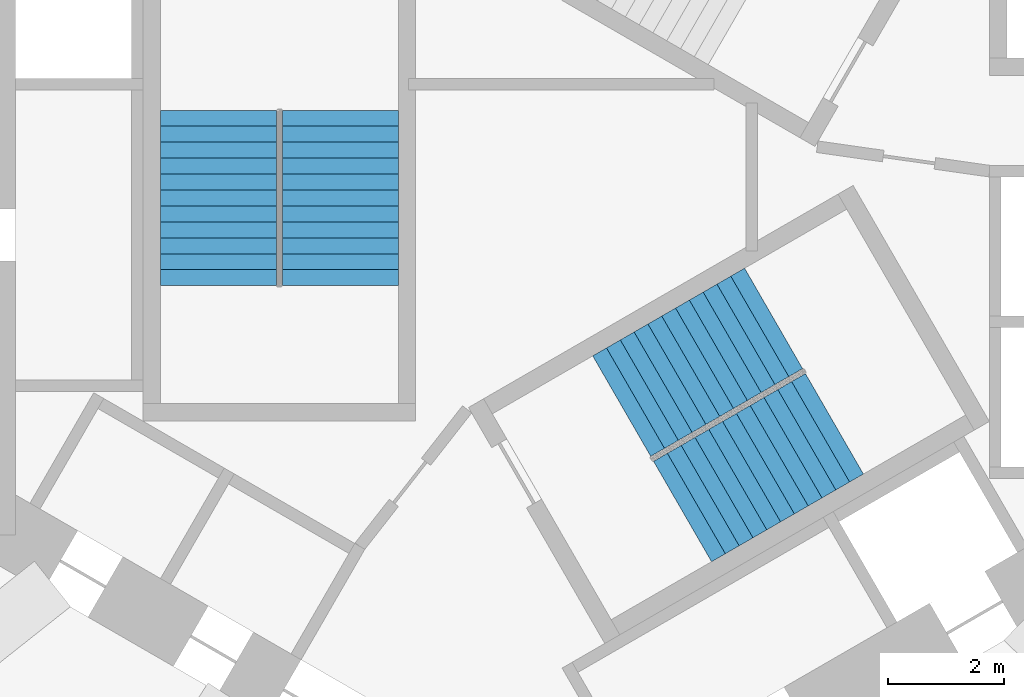
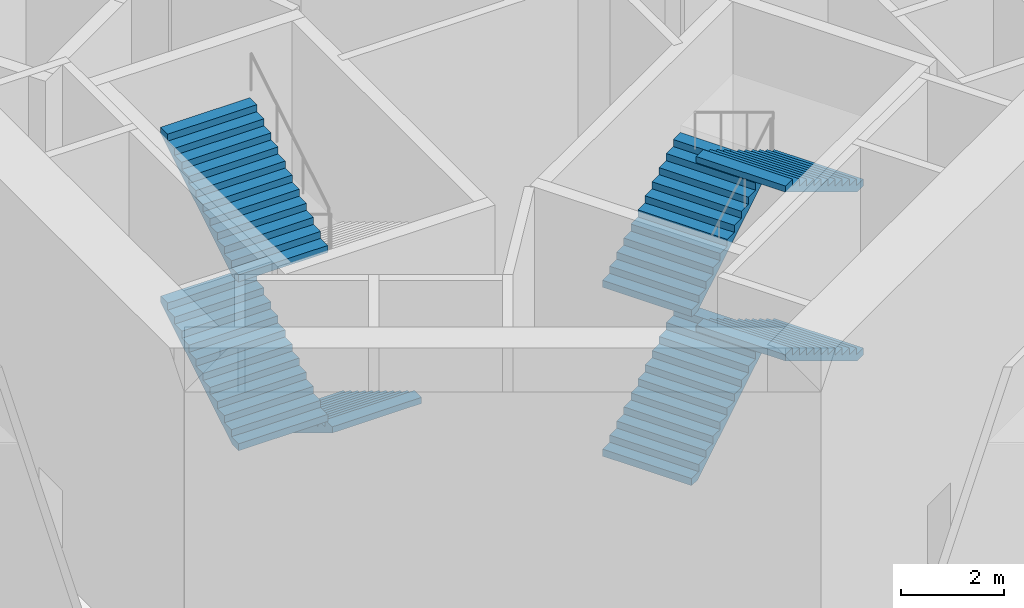
# One storey, part 12 of 15: 7 stair flights, 2 elements without a shape of their own.
"""IFC4 building model written with IfcOpenShell, lengths in metres."""

from ifc_helpers import new_model, si_unit, direction, frame, origin, place, context, subcontext, project, spatial, triangles, source, transform, mapped, material, type_object, element, aggregate, save


model = new_model("IFC4")

# Units and contexts
model_context = context("Model", 3, precision=1e-05, world=origin(), true_north=direction((0.0, 1.0)))
body_context = subcontext(model_context, "Body", "Model", "MODEL_VIEW")
ifc_project = project(units=[si_unit("LENGTHUNIT", "METRE"), si_unit("AREAUNIT", "SQUARE_METRE"), si_unit("VOLUMEUNIT", "CUBIC_METRE"), si_unit("PLANEANGLEUNIT", "RADIAN"), si_unit("MASSUNIT", "GRAM", prefix="KILO")], contexts=[model_context])

# Site, building, storey
site_placement = place(None, origin())
site = spatial("IfcSite", under=ifc_project, at=site_placement, CompositionType="ELEMENT")
building_placement = place(site_placement, origin())
building = spatial("IfcBuilding", under=site, at=building_placement, Name="Vanh Sen Convention Tower", CompositionType="ELEMENT")
storey_placement = place(building_placement, frame((0.0, 0.0, 13.0)))
storey = spatial("IfcBuildingStorey", under=building, at=storey_placement, Name="L02", CompositionType="ELEMENT", Elevation=13.0)

# Stair, stair flights
ifc_material_1 = material(Name="Concrete C50/60", Category="concrete")
stair_type_1 = type_object("IfcStairType", Name="Exit stair ST2 48 risers at 166.7", PredefinedType="HALF_TURN_STAIR", material=ifc_material_1)
stair_1_placement = place(storey_placement, origin())
stair_1 = element("IfcStair", 1, at=stair_1_placement, inside=storey, type_object=stair_type_1, Name="Exit stair ST2 L02", PredefinedType="HALF_TURN_STAIR")
ifc_material_2 = material(Name="Concrete C40/50", Category="concrete")
stair_flight_type = type_object("IfcStairFlightType", Name="Stair flight 2000", PredefinedType="STRAIGHT", material=ifc_material_2)
shared_shape = source(origin(), body_context, "Body", "Tessellation", [
    triangles([(0.2412109375, 1.0, 0.0), (0.0, 1.0, 0.0), (0.0, 1.0, 0.166748046875), (0.27490234375, 1.0, 0.166748046875), (0.27490234375, 1.0, 0.333251953125), (0.550048828125, 1.0, 0.333251953125), (0.550048828125, 1.0, 0.5), (0.824951171875, 1.0, 0.5), (0.824951171875, 1.0, 0.666748046875), (1.10009765625, 1.0, 0.666748046875), (1.10009765625, 1.0, 0.833251953125), (1.375, 1.0, 0.833251953125), (1.375, 1.0, 1.0), (1.64990234375, 1.0, 1.0), (1.64990234375, 1.0, 1.166748046875), (1.925048828125, 1.0, 1.166748046875), (1.925048828125, 1.0, 1.333251953125), (2.199951171875, 1.0, 1.333251953125), (2.199951171875, 1.0, 1.5), (2.47509765625, 1.0, 1.5), (2.47509765625, 1.0, 1.666748046875), (2.75, 1.0, 1.666748046875), (2.75, 1.0, 1.833251953125), (3.02490234375, 1.0, 1.833251953125), (3.02490234375, 1.0, 1.687255859375), (0.2412109375, -1.0, 0.0), (0.0, -1.0, 0.0), (0.0, -1.0, 0.166748046875), (0.27490234375, -1.0, 0.166748046875), (0.27490234375, -1.0, 0.333251953125), (0.550048828125, -1.0, 0.333251953125), (0.550048828125, -1.0, 0.5), (0.824951171875, -1.0, 0.5), (0.824951171875, -1.0, 0.666748046875), (1.10009765625, -1.0, 0.666748046875), (1.10009765625, -1.0, 0.833251953125), (1.375, -1.0, 0.833251953125), (1.375, -1.0, 1.0), (1.64990234375, -1.0, 1.0), (1.64990234375, -1.0, 1.166748046875), (1.925048828125, -1.0, 1.166748046875), (1.925048828125, -1.0, 1.333251953125), (2.199951171875, -1.0, 1.333251953125), (2.199951171875, -1.0, 1.5), (2.47509765625, -1.0, 1.5), (2.47509765625, -1.0, 1.666748046875), (2.75, -1.0, 1.666748046875), (2.75, -1.0, 1.833251953125), (3.02490234375, -1.0, 1.833251953125), (3.02490234375, -1.0, 1.687255859375), (0.0, 0.0400390625, 0.0), (0.0, 0.0390625, 0.0), (0.0, 0.0380859375, 0.0), (0.0, 0.037109375, 0.0), (0.0, 0.035888671875, 0.0), (0.0, 0.034912109375, 0.0), (0.0, 0.033935546875, 0.0), (0.0, 0.032958984375, 0.0), (0.0, 0.031982421875, 0.0), (0.0, 0.031005859375, 0.0), (0.0, 0.030029296875, 0.0), (0.0, 0.029052734375, 0.0), (0.0, 0.028076171875, 0.0), (0.0, 0.027099609375, 0.0), (0.0, 0.02587890625, 0.0), (0.0, 0.02490234375, 0.0), (0.0, 0.02392578125, 0.0), (0.0, 0.02294921875, 0.0), (0.0, 0.02197265625, 0.0), (0.0, 0.02099609375, 0.0), (0.0, 0.02001953125, 0.0), (0.0, 0.01904296875, 0.0), (0.0, 0.01806640625, 0.0), (0.0, 0.01708984375, 0.0), (0.0, 0.01611328125, 0.0), (0.0, 0.014892578125, 0.0), (0.0, 0.013916015625, 0.0), (0.0, 0.012939453125, 0.0), (0.0, 0.011962890625, 0.0), (0.0, 0.010986328125, 0.0), (0.0, 0.010009765625, 0.0), (0.0, 0.009033203125, 0.0), (0.0, 0.008056640625, 0.0), (0.0, 0.007080078125, 0.0), (0.0, 0.006103515625, 0.0), (0.0, 0.0048828125, 0.0), (0.0, 0.00390625, 0.0), (0.0, 0.0029296875, 0.0), (0.0, 0.001953125, 0.0), (0.0, 0.0009765625, 0.0), (0.0, 0.0, 0.0), (0.0, -0.0009765625, 0.0), (0.0, -0.001953125, 0.0), (0.0, -0.0029296875, 0.0), (0.0, -0.00390625, 0.0), (0.0, -0.0048828125, 0.0), (0.0, -0.006103515625, 0.0), (0.0, -0.007080078125, 0.0), (0.0, -0.008056640625, 0.0), (0.0, -0.009033203125, 0.0), (0.0, -0.010009765625, 0.0), (0.0, -0.010986328125, 0.0), (0.0, -0.011962890625, 0.0), (0.0, -0.012939453125, 0.0), (0.0, -0.013916015625, 0.0), (0.0, -0.014892578125, 0.0), (0.0, -0.01611328125, 0.0), (0.0, -0.01708984375, 0.0), (0.0, -0.01806640625, 0.0), (0.0, -0.01904296875, 0.0), (0.0, -0.02001953125, 0.0), (0.0, -0.02099609375, 0.0), (0.0, -0.02197265625, 0.0), (0.0, -0.02294921875, 0.0), (0.0, -0.02392578125, 0.0), (0.0, -0.02490234375, 0.0), (0.0, -0.02587890625, 0.0), (0.0, -0.027099609375, 0.0), (0.0, -0.028076171875, 0.0), (0.0, -0.029052734375, 0.0), (0.0, -0.030029296875, 0.0), (0.0, -0.031005859375, 0.0), (0.0, -0.031982421875, 0.0), (0.0, -0.032958984375, 0.0), (0.0, -0.033935546875, 0.0), (0.0, -0.034912109375, 0.0), (0.0, -0.035888671875, 0.0), (0.0, -0.037109375, 0.0), (0.0, -0.0380859375, 0.0), (0.0, -0.0390625, 0.0), (0.0, -0.0400390625, 0.0), (0.0, 0.0400390625, 0.166748046875), (0.0, 0.0390625, 0.166748046875), (0.0, 0.0380859375, 0.166748046875), (0.0, 0.037109375, 0.166748046875), (0.0, 0.035888671875, 0.166748046875), (0.0, 0.034912109375, 0.166748046875), (0.0, 0.033935546875, 0.166748046875), (0.0, 0.032958984375, 0.166748046875), (0.0, 0.031982421875, 0.166748046875), (0.0, 0.031005859375, 0.166748046875), (0.0, 0.030029296875, 0.166748046875), (0.0, 0.029052734375, 0.166748046875), (0.0, 0.028076171875, 0.166748046875), (0.0, 0.027099609375, 0.166748046875), (0.0, 0.02587890625, 0.166748046875), (0.0, 0.02490234375, 0.166748046875), (0.0, 0.02392578125, 0.166748046875), (0.0, 0.02294921875, 0.166748046875), (0.0, 0.02197265625, 0.166748046875), (0.0, 0.02099609375, 0.166748046875), (0.0, 0.02001953125, 0.166748046875), (0.0, 0.01904296875, 0.166748046875), (0.0, 0.01806640625, 0.166748046875), (0.0, 0.01708984375, 0.166748046875), (0.0, 0.01611328125, 0.166748046875), (0.0, 0.014892578125, 0.166748046875), (0.0, 0.013916015625, 0.166748046875), (0.0, 0.012939453125, 0.166748046875), (0.0, 0.011962890625, 0.166748046875), (0.0, 0.010986328125, 0.166748046875), (0.0, 0.010009765625, 0.166748046875), (0.0, 0.009033203125, 0.166748046875), (0.0, 0.008056640625, 0.166748046875), (0.0, 0.007080078125, 0.166748046875), (0.0, 0.006103515625, 0.166748046875), (0.0, 0.0048828125, 0.166748046875), (0.0, 0.00390625, 0.166748046875), (0.0, 0.0029296875, 0.166748046875), (0.0, 0.001953125, 0.166748046875), (0.0, 0.0009765625, 0.166748046875), (0.0, 0.0, 0.166748046875), (0.0, -0.0009765625, 0.166748046875), (0.0, -0.001953125, 0.166748046875), (0.0, -0.0029296875, 0.166748046875), (0.0, -0.00390625, 0.166748046875), (0.0, -0.0048828125, 0.166748046875), (0.0, -0.006103515625, 0.166748046875), (0.0, -0.007080078125, 0.166748046875), (0.0, -0.008056640625, 0.166748046875), (0.0, -0.009033203125, 0.166748046875), (0.0, -0.010009765625, 0.166748046875), (0.0, -0.010986328125, 0.166748046875), (0.0, -0.011962890625, 0.166748046875), (0.0, -0.012939453125, 0.166748046875), (0.0, -0.013916015625, 0.166748046875), (0.0, -0.014892578125, 0.166748046875), (0.0, -0.01611328125, 0.166748046875), (0.0, -0.01708984375, 0.166748046875), (0.0, -0.01806640625, 0.166748046875), (0.0, -0.01904296875, 0.166748046875), (0.0, -0.02001953125, 0.166748046875), (0.0, -0.02099609375, 0.166748046875), (0.0, -0.02197265625, 0.166748046875), (0.0, -0.02294921875, 0.166748046875), (0.0, -0.02392578125, 0.166748046875), (0.0, -0.02490234375, 0.166748046875), (0.0, -0.02587890625, 0.166748046875), (0.0, -0.027099609375, 0.166748046875), (0.0, -0.028076171875, 0.166748046875), (0.0, -0.029052734375, 0.166748046875), (0.0, -0.030029296875, 0.166748046875), (0.0, -0.031005859375, 0.166748046875), (0.0, -0.031982421875, 0.166748046875), (0.0, -0.032958984375, 0.166748046875), (0.0, -0.033935546875, 0.166748046875), (0.0, -0.034912109375, 0.166748046875), (0.0, -0.035888671875, 0.166748046875), (0.0, -0.037109375, 0.166748046875), (0.0, -0.0380859375, 0.166748046875), (0.0, -0.0390625, 0.166748046875), (0.0, -0.0400390625, 0.166748046875), (0.27490234375, 0.0, 0.166748046875), (0.27490234375, 0.0, 0.333251953125), (0.550048828125, 0.0, 0.333251953125), (0.550048828125, 0.0, 0.5), (0.824951171875, 0.0, 0.5), (0.824951171875, 0.0, 0.666748046875), (1.10009765625, 0.0, 0.666748046875), (1.10009765625, 0.0, 0.833251953125), (1.375, 0.0, 0.833251953125), (1.375, 0.0, 1.0), (1.64990234375, 0.0, 1.0), (1.64990234375, 0.0, 1.166748046875), (1.925048828125, 0.0, 1.166748046875), (1.925048828125, 0.0, 1.333251953125), (2.199951171875, 0.0, 1.333251953125), (2.199951171875, 0.0, 1.5), (2.47509765625, 0.0, 1.5), (2.47509765625, 0.0, 1.666748046875), (2.75, 0.0, 1.666748046875), (2.75, 0.0, 1.833251953125), (3.02490234375, 0.0400390625, 1.833251953125), (3.02490234375, 0.0390625, 1.833251953125), (3.02490234375, 0.0380859375, 1.833251953125), (3.02490234375, 0.037109375, 1.833251953125), (3.02490234375, 0.035888671875, 1.833251953125), (3.02490234375, 0.034912109375, 1.833251953125), (3.02490234375, 0.033935546875, 1.833251953125), (3.02490234375, 0.032958984375, 1.833251953125), (3.02490234375, 0.031982421875, 1.833251953125), (3.02490234375, 0.031005859375, 1.833251953125), (3.02490234375, 0.030029296875, 1.833251953125), (3.02490234375, 0.029052734375, 1.833251953125), (3.02490234375, 0.028076171875, 1.833251953125), (3.02490234375, 0.027099609375, 1.833251953125), (3.02490234375, 0.02587890625, 1.833251953125), (3.02490234375, 0.02490234375, 1.833251953125), (3.02490234375, 0.02392578125, 1.833251953125), (3.02490234375, 0.02294921875, 1.833251953125), (3.02490234375, 0.02197265625, 1.833251953125), (3.02490234375, 0.02099609375, 1.833251953125), (3.02490234375, 0.02001953125, 1.833251953125), (3.02490234375, 0.01904296875, 1.833251953125), (3.02490234375, 0.01806640625, 1.833251953125), (3.02490234375, 0.01708984375, 1.833251953125), (3.02490234375, 0.01611328125, 1.833251953125), (3.02490234375, 0.014892578125, 1.833251953125), (3.02490234375, 0.013916015625, 1.833251953125), (3.02490234375, 0.012939453125, 1.833251953125), (3.02490234375, 0.011962890625, 1.833251953125), (3.02490234375, 0.010986328125, 1.833251953125), (3.02490234375, 0.010009765625, 1.833251953125), (3.02490234375, 0.009033203125, 1.833251953125), (3.02490234375, 0.008056640625, 1.833251953125), (3.02490234375, 0.007080078125, 1.833251953125), (3.02490234375, 0.006103515625, 1.833251953125), (3.02490234375, 0.0048828125, 1.833251953125), (3.02490234375, 0.00390625, 1.833251953125), (3.02490234375, 0.0029296875, 1.833251953125), (3.02490234375, 0.001953125, 1.833251953125), (3.02490234375, 0.0009765625, 1.833251953125), (3.02490234375, 0.0, 1.833251953125), (3.02490234375, -0.0009765625, 1.833251953125), (3.02490234375, -0.001953125, 1.833251953125), (3.02490234375, -0.0029296875, 1.833251953125), (3.02490234375, -0.00390625, 1.833251953125), (3.02490234375, -0.0048828125, 1.833251953125), (3.02490234375, -0.006103515625, 1.833251953125), (3.02490234375, -0.007080078125, 1.833251953125), (3.02490234375, -0.008056640625, 1.833251953125), (3.02490234375, -0.009033203125, 1.833251953125), (3.02490234375, -0.010009765625, 1.833251953125), (3.02490234375, -0.010986328125, 1.833251953125), (3.02490234375, -0.011962890625, 1.833251953125), (3.02490234375, -0.012939453125, 1.833251953125), (3.02490234375, -0.013916015625, 1.833251953125), (3.02490234375, -0.014892578125, 1.833251953125), (3.02490234375, -0.01611328125, 1.833251953125), (3.02490234375, -0.01708984375, 1.833251953125), (3.02490234375, -0.01806640625, 1.833251953125), (3.02490234375, -0.01904296875, 1.833251953125), (3.02490234375, -0.02001953125, 1.833251953125), (3.02490234375, -0.02099609375, 1.833251953125), (3.02490234375, -0.02197265625, 1.833251953125), (3.02490234375, -0.02294921875, 1.833251953125), (3.02490234375, -0.02392578125, 1.833251953125), (3.02490234375, -0.02490234375, 1.833251953125), (3.02490234375, -0.02587890625, 1.833251953125), (3.02490234375, -0.027099609375, 1.833251953125), (3.02490234375, -0.028076171875, 1.833251953125), (3.02490234375, -0.029052734375, 1.833251953125), (3.02490234375, -0.030029296875, 1.833251953125), (3.02490234375, -0.031005859375, 1.833251953125), (3.02490234375, -0.031982421875, 1.833251953125), (3.02490234375, -0.032958984375, 1.833251953125), (3.02490234375, -0.033935546875, 1.833251953125), (3.02490234375, -0.034912109375, 1.833251953125), (3.02490234375, -0.035888671875, 1.833251953125), (3.02490234375, -0.037109375, 1.833251953125), (3.02490234375, -0.0380859375, 1.833251953125), (3.02490234375, -0.0390625, 1.833251953125), (3.02490234375, -0.0400390625, 1.833251953125), (3.02490234375, 0.0400390625, 1.687255859375), (3.02490234375, 0.0390625, 1.687255859375), (3.02490234375, 0.0380859375, 1.687255859375), (3.02490234375, 0.037109375, 1.687255859375), (3.02490234375, 0.035888671875, 1.687255859375), (3.02490234375, 0.034912109375, 1.687255859375), (3.02490234375, 0.033935546875, 1.687255859375), (3.02490234375, 0.032958984375, 1.687255859375), (3.02490234375, 0.031982421875, 1.687255859375), (3.02490234375, 0.031005859375, 1.687255859375), (3.02490234375, 0.030029296875, 1.687255859375), (3.02490234375, 0.029052734375, 1.687255859375), (3.02490234375, 0.028076171875, 1.687255859375), (3.02490234375, 0.027099609375, 1.687255859375), (3.02490234375, 0.02587890625, 1.687255859375), (3.02490234375, 0.02490234375, 1.687255859375), (3.02490234375, 0.02392578125, 1.687255859375), (3.02490234375, 0.02294921875, 1.687255859375), (3.02490234375, 0.02197265625, 1.687255859375), (3.02490234375, 0.02099609375, 1.687255859375), (3.02490234375, 0.02001953125, 1.687255859375), (3.02490234375, 0.01904296875, 1.687255859375), (3.02490234375, 0.01806640625, 1.687255859375), (3.02490234375, 0.01708984375, 1.687255859375), (3.02490234375, 0.01611328125, 1.687255859375), (3.02490234375, 0.014892578125, 1.687255859375), (3.02490234375, 0.013916015625, 1.687255859375), (3.02490234375, 0.012939453125, 1.687255859375), (3.02490234375, 0.011962890625, 1.687255859375), (3.02490234375, 0.010986328125, 1.687255859375), (3.02490234375, 0.010009765625, 1.687255859375), (3.02490234375, 0.009033203125, 1.687255859375), (3.02490234375, 0.008056640625, 1.687255859375), (3.02490234375, 0.007080078125, 1.687255859375), (3.02490234375, 0.006103515625, 1.687255859375), (3.02490234375, 0.0048828125, 1.687255859375), (3.02490234375, 0.00390625, 1.687255859375), (3.02490234375, 0.0029296875, 1.687255859375), (3.02490234375, 0.001953125, 1.687255859375), (3.02490234375, 0.0009765625, 1.687255859375), (3.02490234375, 0.0, 1.687255859375), (3.02490234375, -0.0009765625, 1.687255859375), (3.02490234375, -0.001953125, 1.687255859375), (3.02490234375, -0.0029296875, 1.687255859375), (3.02490234375, -0.00390625, 1.687255859375), (3.02490234375, -0.0048828125, 1.687255859375), (3.02490234375, -0.006103515625, 1.687255859375), (3.02490234375, -0.007080078125, 1.687255859375), (3.02490234375, -0.008056640625, 1.687255859375), (3.02490234375, -0.009033203125, 1.687255859375), (3.02490234375, -0.010009765625, 1.687255859375), (3.02490234375, -0.010986328125, 1.687255859375), (3.02490234375, -0.011962890625, 1.687255859375), (3.02490234375, -0.012939453125, 1.687255859375), (3.02490234375, -0.013916015625, 1.687255859375), (3.02490234375, -0.014892578125, 1.687255859375), (3.02490234375, -0.01611328125, 1.687255859375), (3.02490234375, -0.01708984375, 1.687255859375), (3.02490234375, -0.01806640625, 1.687255859375), (3.02490234375, -0.01904296875, 1.687255859375), (3.02490234375, -0.02001953125, 1.687255859375), (3.02490234375, -0.02099609375, 1.687255859375), (3.02490234375, -0.02197265625, 1.687255859375), (3.02490234375, -0.02294921875, 1.687255859375), (3.02490234375, -0.02392578125, 1.687255859375), (3.02490234375, -0.02490234375, 1.687255859375), (3.02490234375, -0.02587890625, 1.687255859375), (3.02490234375, -0.027099609375, 1.687255859375), (3.02490234375, -0.028076171875, 1.687255859375), (3.02490234375, -0.029052734375, 1.687255859375), (3.02490234375, -0.030029296875, 1.687255859375), (3.02490234375, -0.031005859375, 1.687255859375), (3.02490234375, -0.031982421875, 1.687255859375), (3.02490234375, -0.032958984375, 1.687255859375), (3.02490234375, -0.033935546875, 1.687255859375), (3.02490234375, -0.034912109375, 1.687255859375), (3.02490234375, -0.035888671875, 1.687255859375), (3.02490234375, -0.037109375, 1.687255859375), (3.02490234375, -0.0380859375, 1.687255859375), (3.02490234375, -0.0390625, 1.687255859375), (3.02490234375, -0.0400390625, 1.687255859375), (0.2412109375, 0.0, 0.0)], [[1, 2, 3], [1, 3, 4], [4, 5, 6], [1, 4, 6], [6, 7, 8], [1, 6, 8], [8, 9, 10], [1, 8, 10], [10, 11, 12], [1, 10, 12], [12, 13, 14], [1, 12, 14], [14, 15, 16], [1, 14, 16], [16, 17, 18], [1, 16, 18], [18, 19, 20], [1, 18, 20], [20, 21, 22], [1, 20, 22], [22, 23, 24], [1, 22, 24], [24, 25, 1], [26, 28, 27], [26, 29, 28], [29, 31, 30], [26, 31, 29], [31, 33, 32], [26, 33, 31], [33, 35, 34], [26, 35, 33], [35, 37, 36], [26, 37, 35], [37, 39, 38], [26, 39, 37], [39, 41, 40], [26, 41, 39], [41, 43, 42], [26, 43, 41], [43, 45, 44], [26, 45, 43], [45, 47, 46], [26, 47, 45], [47, 49, 48], [26, 49, 47], [49, 26, 50], [2, 132, 3], [2, 51, 132], [51, 133, 132], [51, 52, 133], [52, 134, 133], [52, 53, 134], [53, 135, 134], [53, 54, 135], [54, 136, 135], [54, 55, 136], [55, 137, 136], [55, 56, 137], [56, 138, 137], [56, 57, 138], [57, 139, 138], [57, 58, 139], [58, 140, 139], [58, 59, 140], [59, 141, 140], [59, 60, 141], [60, 142, 141], [60, 61, 142], [61, 143, 142], [61, 62, 143], [62, 144, 143], [62, 63, 144], [63, 145, 144], [63, 64, 145], [64, 146, 145], [64, 65, 146], [65, 147, 146], [65, 66, 147], [66, 148, 147], [66, 67, 148], [67, 149, 148], [67, 68, 149], [68, 150, 149], [68, 69, 150], [69, 151, 150], [69, 70, 151], [70, 152, 151], [70, 71, 152], [71, 153, 152], [71, 72, 153], [72, 154, 153], [72, 73, 154], [73, 155, 154], [73, 74, 155], [74, 156, 155], [74, 75, 156], [75, 157, 156], [75, 76, 157], [76, 158, 157], [76, 77, 158], [77, 159, 158], [77, 78, 159], [78, 160, 159], [78, 79, 160], [79, 161, 160], [79, 80, 161], [80, 162, 161], [80, 81, 162], [81, 163, 162], [81, 82, 163], [82, 164, 163], [82, 83, 164], [83, 165, 164], [83, 84, 165], [84, 166, 165], [84, 85, 166], [85, 167, 166], [85, 86, 167], [86, 168, 167], [86, 87, 168], [87, 169, 168], [87, 88, 169], [88, 170, 169], [88, 89, 170], [89, 171, 170], [89, 90, 171], [90, 172, 171], [90, 91, 172], [91, 92, 172], [172, 92, 173], [92, 93, 173], [173, 93, 174], [93, 94, 174], [174, 94, 175], [94, 95, 175], [175, 95, 176], [95, 96, 176], [176, 96, 177], [96, 97, 177], [177, 97, 178], [97, 98, 178], [178, 98, 179], [98, 99, 179], [179, 99, 180], [99, 100, 180], [180, 100, 181], [100, 101, 181], [181, 101, 182], [101, 102, 182], [182, 102, 183], [102, 103, 183], [183, 103, 184], [103, 104, 184], [184, 104, 185], [104, 105, 185], [185, 105, 186], [105, 106, 186], [186, 106, 187], [106, 107, 187], [187, 107, 188], [107, 108, 188], [188, 108, 189], [108, 109, 189], [189, 109, 190], [109, 110, 190], [190, 110, 191], [110, 111, 191], [191, 111, 192], [111, 112, 192], [192, 112, 193], [112, 113, 193], [193, 113, 194], [113, 114, 194], [194, 114, 195], [114, 115, 195], [195, 115, 196], [115, 116, 196], [196, 116, 197], [116, 117, 197], [197, 117, 198], [117, 118, 198], [198, 118, 199], [118, 119, 199], [199, 119, 200], [119, 120, 200], [200, 120, 201], [120, 121, 201], [201, 121, 202], [121, 122, 202], [202, 122, 203], [122, 123, 203], [203, 123, 204], [123, 124, 204], [204, 124, 205], [124, 125, 205], [205, 125, 206], [125, 126, 206], [206, 126, 207], [126, 127, 207], [207, 127, 208], [127, 128, 208], [208, 128, 209], [128, 129, 209], [209, 129, 210], [129, 130, 210], [210, 130, 211], [130, 131, 211], [211, 131, 212], [131, 27, 212], [212, 27, 28], [4, 3, 132], [4, 132, 133], [4, 133, 134], [4, 134, 135], [4, 135, 136], [4, 136, 137], [4, 137, 138], [4, 138, 139], [4, 139, 140], [4, 140, 141], [4, 141, 142], [4, 142, 143], [4, 143, 144], [4, 144, 145], [4, 145, 146], [4, 146, 147], [4, 147, 148], [4, 148, 149], [4, 149, 150], [4, 150, 151], [4, 151, 152], [4, 152, 153], [4, 153, 154], [4, 154, 155], [4, 155, 156], [4, 156, 157], [4, 157, 158], [4, 158, 159], [4, 159, 160], [4, 160, 161], [4, 161, 162], [4, 162, 163], [4, 163, 164], [4, 164, 165], [4, 165, 166], [4, 166, 167], [4, 167, 168], [4, 168, 169], [4, 169, 170], [4, 170, 171], [4, 171, 172], [29, 172, 173], [29, 173, 174], [29, 174, 175], [29, 175, 176], [29, 176, 177], [29, 177, 178], [29, 178, 179], [29, 179, 180], [29, 180, 181], [29, 181, 182], [29, 182, 183], [29, 183, 184], [29, 184, 185], [29, 185, 186], [29, 186, 187], [29, 187, 188], [29, 188, 189], [29, 189, 190], [29, 190, 191], [29, 191, 192], [29, 192, 193], [29, 193, 194], [29, 194, 195], [29, 195, 196], [29, 196, 197], [29, 197, 198], [29, 198, 199], [29, 199, 200], [29, 200, 201], [29, 201, 202], [29, 202, 203], [29, 203, 204], [29, 204, 205], [29, 205, 206], [29, 206, 207], [29, 207, 208], [29, 208, 209], [29, 209, 210], [29, 210, 211], [29, 211, 212], [29, 212, 28], [4, 172, 213], [29, 213, 172], [4, 214, 5], [4, 213, 214], [213, 29, 214], [214, 29, 30], [5, 215, 6], [5, 214, 215], [214, 30, 215], [215, 30, 31], [6, 216, 7], [6, 215, 216], [215, 31, 216], [216, 31, 32], [7, 217, 8], [7, 216, 217], [216, 32, 217], [217, 32, 33], [8, 218, 9], [8, 217, 218], [217, 33, 218], [218, 33, 34], [9, 219, 10], [9, 218, 219], [218, 34, 219], [219, 34, 35], [10, 220, 11], [10, 219, 220], [219, 35, 220], [220, 35, 36], [11, 221, 12], [11, 220, 221], [220, 36, 221], [221, 36, 37], [12, 222, 13], [12, 221, 222], [221, 37, 222], [222, 37, 38], [13, 223, 14], [13, 222, 223], [222, 38, 223], [223, 38, 39], [14, 224, 15], [14, 223, 224], [223, 39, 224], [224, 39, 40], [15, 225, 16], [15, 224, 225], [224, 40, 225], [225, 40, 41], [16, 226, 17], [16, 225, 226], [225, 41, 226], [226, 41, 42], [17, 227, 18], [17, 226, 227], [226, 42, 227], [227, 42, 43], [18, 228, 19], [18, 227, 228], [227, 43, 228], [228, 43, 44], [19, 229, 20], [19, 228, 229], [228, 44, 229], [229, 44, 45], [20, 230, 21], [20, 229, 230], [229, 45, 230], [230, 45, 46], [21, 231, 22], [21, 230, 231], [230, 46, 231], [231, 46, 47], [22, 232, 23], [22, 231, 232], [231, 47, 232], [232, 47, 48], [23, 233, 24], [23, 234, 233], [23, 235, 234], [23, 236, 235], [23, 237, 236], [23, 238, 237], [23, 239, 238], [23, 240, 239], [23, 241, 240], [23, 242, 241], [23, 243, 242], [23, 244, 243], [23, 245, 244], [23, 246, 245], [23, 247, 246], [23, 248, 247], [23, 249, 248], [23, 250, 249], [23, 251, 250], [23, 252, 251], [23, 253, 252], [23, 254, 253], [23, 255, 254], [23, 256, 255], [23, 257, 256], [23, 258, 257], [23, 259, 258], [23, 260, 259], [23, 261, 260], [23, 262, 261], [23, 263, 262], [23, 264, 263], [23, 265, 264], [23, 266, 265], [23, 267, 266], [23, 268, 267], [23, 269, 268], [23, 270, 269], [23, 271, 270], [23, 272, 271], [23, 273, 272], [48, 274, 273], [48, 275, 274], [48, 276, 275], [48, 277, 276], [48, 278, 277], [48, 279, 278], [48, 280, 279], [48, 281, 280], [48, 282, 281], [48, 283, 282], [48, 284, 283], [48, 285, 284], [48, 286, 285], [48, 287, 286], [48, 288, 287], [48, 289, 288], [48, 290, 289], [48, 291, 290], [48, 292, 291], [48, 293, 292], [48, 294, 293], [48, 295, 294], [48, 296, 295], [48, 297, 296], [48, 298, 297], [48, 299, 298], [48, 300, 299], [48, 301, 300], [48, 302, 301], [48, 303, 302], [48, 304, 303], [48, 305, 304], [48, 306, 305], [48, 307, 306], [48, 308, 307], [48, 309, 308], [48, 310, 309], [48, 311, 310], [48, 312, 311], [48, 313, 312], [48, 49, 313], [23, 232, 273], [48, 273, 232], [24, 314, 25], [24, 233, 314], [233, 315, 314], [233, 234, 315], [234, 316, 315], [234, 235, 316], [235, 317, 316], [235, 236, 317], [236, 318, 317], [236, 237, 318], [237, 319, 318], [237, 238, 319], [238, 320, 319], [238, 239, 320], [239, 321, 320], [239, 240, 321], [240, 322, 321], [240, 241, 322], [241, 323, 322], [241, 242, 323], [242, 324, 323], [242, 243, 324], [243, 325, 324], [243, 244, 325], [244, 326, 325], [244, 245, 326], [245, 327, 326], [245, 246, 327], [246, 328, 327], [246, 247, 328], [247, 329, 328], [247, 248, 329], [248, 330, 329], [248, 249, 330], [249, 331, 330], [249, 250, 331], [250, 332, 331], [250, 251, 332], [251, 333, 332], [251, 252, 333], [252, 334, 333], [252, 253, 334], [253, 335, 334], [253, 254, 335], [254, 336, 335], [254, 255, 336], [255, 337, 336], [255, 256, 337], [256, 338, 337], [256, 257, 338], [257, 339, 338], [257, 258, 339], [258, 340, 339], [258, 259, 340], [259, 341, 340], [259, 260, 341], [260, 342, 341], [260, 261, 342], [261, 343, 342], [261, 262, 343], [262, 344, 343], [262, 263, 344], [263, 345, 344], [263, 264, 345], [264, 346, 345], [264, 265, 346], [265, 347, 346], [265, 266, 347], [266, 348, 347], [266, 267, 348], [267, 349, 348], [267, 268, 349], [268, 350, 349], [268, 269, 350], [269, 351, 350], [269, 270, 351], [270, 352, 351], [270, 271, 352], [271, 353, 352], [271, 272, 353], [272, 354, 353], [272, 273, 354], [273, 274, 354], [354, 274, 355], [274, 275, 355], [355, 275, 356], [275, 276, 356], [356, 276, 357], [276, 277, 357], [357, 277, 358], [277, 278, 358], [358, 278, 359], [278, 279, 359], [359, 279, 360], [279, 280, 360], [360, 280, 361], [280, 281, 361], [361, 281, 362], [281, 282, 362], [362, 282, 363], [282, 283, 363], [363, 283, 364], [283, 284, 364], [364, 284, 365], [284, 285, 365], [365, 285, 366], [285, 286, 366], [366, 286, 367], [286, 287, 367], [367, 287, 368], [287, 288, 368], [368, 288, 369], [288, 289, 369], [369, 289, 370], [289, 290, 370], [370, 290, 371], [290, 291, 371], [371, 291, 372], [291, 292, 372], [372, 292, 373], [292, 293, 373], [373, 293, 374], [293, 294, 374], [374, 294, 375], [294, 295, 375], [375, 295, 376], [295, 296, 376], [376, 296, 377], [296, 297, 377], [377, 297, 378], [297, 298, 378], [378, 298, 379], [298, 299, 379], [379, 299, 380], [299, 300, 380], [380, 300, 381], [300, 301, 381], [381, 301, 382], [301, 302, 382], [382, 302, 383], [302, 303, 383], [383, 303, 384], [303, 304, 384], [384, 304, 385], [304, 305, 385], [385, 305, 386], [305, 306, 386], [386, 306, 387], [306, 307, 387], [387, 307, 388], [307, 308, 388], [388, 308, 389], [308, 309, 389], [389, 309, 390], [309, 310, 390], [390, 310, 391], [310, 311, 391], [391, 311, 392], [311, 312, 392], [392, 312, 393], [312, 313, 393], [393, 313, 394], [313, 49, 394], [394, 49, 50], [1, 25, 314], [1, 314, 315], [1, 315, 316], [1, 316, 317], [1, 317, 318], [1, 318, 319], [1, 319, 320], [1, 320, 321], [1, 321, 322], [1, 322, 323], [1, 323, 324], [1, 324, 325], [1, 325, 326], [1, 326, 327], [1, 327, 328], [1, 328, 329], [1, 329, 330], [1, 330, 331], [1, 331, 332], [1, 332, 333], [1, 333, 334], [1, 334, 335], [1, 335, 336], [1, 336, 337], [1, 337, 338], [1, 338, 339], [1, 339, 340], [1, 340, 341], [1, 341, 342], [1, 342, 343], [1, 343, 344], [1, 344, 345], [1, 345, 346], [1, 346, 347], [1, 347, 348], [1, 348, 349], [1, 349, 350], [1, 350, 351], [1, 351, 352], [1, 352, 353], [1, 353, 354], [26, 354, 355], [26, 355, 356], [26, 356, 357], [26, 357, 358], [26, 358, 359], [26, 359, 360], [26, 360, 361], [26, 361, 362], [26, 362, 363], [26, 363, 364], [26, 364, 365], [26, 365, 366], [26, 366, 367], [26, 367, 368], [26, 368, 369], [26, 369, 370], [26, 370, 371], [26, 371, 372], [26, 372, 373], [26, 373, 374], [26, 374, 375], [26, 375, 376], [26, 376, 377], [26, 377, 378], [26, 378, 379], [26, 379, 380], [26, 380, 381], [26, 381, 382], [26, 382, 383], [26, 383, 384], [26, 384, 385], [26, 385, 386], [26, 386, 387], [26, 387, 388], [26, 388, 389], [26, 389, 390], [26, 390, 391], [26, 391, 392], [26, 392, 393], [26, 393, 394], [26, 394, 50], [1, 354, 395], [26, 395, 354], [1, 51, 2], [1, 52, 51], [1, 53, 52], [1, 54, 53], [1, 55, 54], [1, 56, 55], [1, 57, 56], [1, 58, 57], [1, 59, 58], [1, 60, 59], [1, 61, 60], [1, 62, 61], [1, 63, 62], [1, 64, 63], [1, 65, 64], [1, 66, 65], [1, 67, 66], [1, 68, 67], [1, 69, 68], [1, 70, 69], [1, 71, 70], [1, 72, 71], [1, 73, 72], [1, 74, 73], [1, 75, 74], [1, 76, 75], [1, 77, 76], [1, 78, 77], [1, 79, 78], [1, 80, 79], [1, 81, 80], [1, 82, 81], [1, 83, 82], [1, 84, 83], [1, 85, 84], [1, 86, 85], [1, 87, 86], [1, 88, 87], [1, 89, 88], [1, 90, 89], [1, 91, 90], [26, 92, 91], [26, 93, 92], [26, 94, 93], [26, 95, 94], [26, 96, 95], [26, 97, 96], [26, 98, 97], [26, 99, 98], [26, 100, 99], [26, 101, 100], [26, 102, 101], [26, 103, 102], [26, 104, 103], [26, 105, 104], [26, 106, 105], [26, 107, 106], [26, 108, 107], [26, 109, 108], [26, 110, 109], [26, 111, 110], [26, 112, 111], [26, 113, 112], [26, 114, 113], [26, 115, 114], [26, 116, 115], [26, 117, 116], [26, 118, 117], [26, 119, 118], [26, 120, 119], [26, 121, 120], [26, 122, 121], [26, 123, 122], [26, 124, 123], [26, 125, 124], [26, 126, 125], [26, 127, 126], [26, 128, 127], [26, 129, 128], [26, 130, 129], [26, 131, 130], [26, 27, 131], [1, 395, 91], [26, 91, 395]], closed=True),
])
stair_flight_1_placement = place(storey_placement, frame((-3.89990234375, 1.14990234375, 0.0), z_axis=(0.0, 0.0, 1.0), x_axis=(0.0, -1.0, 0.0)))
stair_flight_1 = element("IfcStairFlight", 2, at=stair_flight_1_placement, type_object=stair_flight_type, Name="ST2 flight 1", NumberOfRisers=12, NumberOfTreads=11, PredefinedType="STRAIGHT", RiserHeight=0.166666667, TreadLength=0.275, context=body_context, shape_type="MappedRepresentation", body=[
    mapped(shared_shape, transform((0.0, 0.0, 0.0))),
])
stair_flight_2_placement = place(storey_placement, frame((-6.0, -1.875, 2.0), z_axis=(0.0, 0.0, 1.0), x_axis=(0.0, 1.0, 0.0)))
stair_flight_2 = element("IfcStairFlight", 3, at=stair_flight_2_placement, type_object=stair_flight_type, Name="ST2 flight 2", NumberOfRisers=12, NumberOfTreads=11, PredefinedType="STRAIGHT", RiserHeight=0.166666667, TreadLength=0.275, context=body_context, shape_type="MappedRepresentation", body=[
    mapped(shared_shape, transform((0.0, 0.0, 0.0))),
])
stair_flight_3_placement = place(storey_placement, frame((-6.0, -1.875, 6.0), z_axis=(0.0, 0.0, 1.0), x_axis=(0.0, 1.0, 0.0)))
stair_flight_3 = element("IfcStairFlight", 4, at=stair_flight_3_placement, type_object=stair_flight_type, Name="ST2 flight 4", NumberOfRisers=12, NumberOfTreads=11, PredefinedType="STRAIGHT", RiserHeight=0.166666667, TreadLength=0.275, context=body_context, shape_type="MappedRepresentation", body=[
    mapped(shared_shape, transform((0.0, 0.0, 0.0))),
])
aggregate(stair_1, [stair_flight_1, stair_flight_2, stair_flight_3])

stair_type_2 = type_object("IfcStairType", Name="Exit stair ST3 48 risers at 166.7", PredefinedType="HALF_TURN_STAIR", material=ifc_material_1)
stair_2_placement = place(storey_placement, origin())
stair_2 = element("IfcStair", 5, at=stair_2_placement, inside=storey, type_object=stair_type_2, Name="Exit stair ST3 L02", PredefinedType="HALF_TURN_STAIR")
stair_flight_4_placement = place(storey_placement, frame((0.9541015625, -3.952392578125, 0.0), z_axis=(0.0, 0.0, 1.0), x_axis=(0.866025403784, 0.5, 0.0)))
stair_flight_4 = element("IfcStairFlight", 6, at=stair_flight_4_placement, type_object=stair_flight_type, Name="ST3 flight 1", NumberOfRisers=12, NumberOfTreads=11, PredefinedType="STRAIGHT", RiserHeight=0.166666667, TreadLength=0.275, context=body_context, shape_type="MappedRepresentation", body=[
    mapped(shared_shape, transform((0.0, 0.0, 0.0))),
])
stair_flight_5_placement = place(storey_placement, frame((4.623779296875, -4.2587890625, 2.0), z_axis=(0.0, 0.0, 1.0), x_axis=(-0.866025403784, -0.5, 0.0)))
stair_flight_5 = element("IfcStairFlight", 7, at=stair_flight_5_placement, type_object=stair_flight_type, Name="ST3 flight 2", NumberOfRisers=12, NumberOfTreads=11, PredefinedType="STRAIGHT", RiserHeight=0.166666667, TreadLength=0.275, context=body_context, shape_type="MappedRepresentation", body=[
    mapped(shared_shape, transform((0.0, 0.0, 0.0))),
])
stair_flight_6_placement = place(storey_placement, frame((0.9541015625, -3.952392578125, 4.0), z_axis=(0.0, 0.0, 1.0), x_axis=(0.866025403784, 0.5, 0.0)))
stair_flight_6 = element("IfcStairFlight", 8, at=stair_flight_6_placement, type_object=stair_flight_type, Name="ST3 flight 3", NumberOfRisers=12, NumberOfTreads=11, PredefinedType="STRAIGHT", RiserHeight=0.166666667, TreadLength=0.275, context=body_context, shape_type="MappedRepresentation", body=[
    mapped(shared_shape, transform((0.0, 0.0, 0.0))),
])
stair_flight_7_placement = place(storey_placement, frame((4.623779296875, -4.2587890625, 6.0), z_axis=(0.0, 0.0, 1.0), x_axis=(-0.866025403784, -0.5, 0.0)))
stair_flight_7 = element("IfcStairFlight", 9, at=stair_flight_7_placement, type_object=stair_flight_type, Name="ST3 flight 4", NumberOfRisers=12, NumberOfTreads=11, PredefinedType="STRAIGHT", RiserHeight=0.166666667, TreadLength=0.275, context=body_context, shape_type="MappedRepresentation", body=[
    mapped(shared_shape, transform((0.0, 0.0, 0.0))),
])
aggregate(stair_2, [stair_flight_4, stair_flight_5, stair_flight_6, stair_flight_7])

save(model, "model.ifc")
